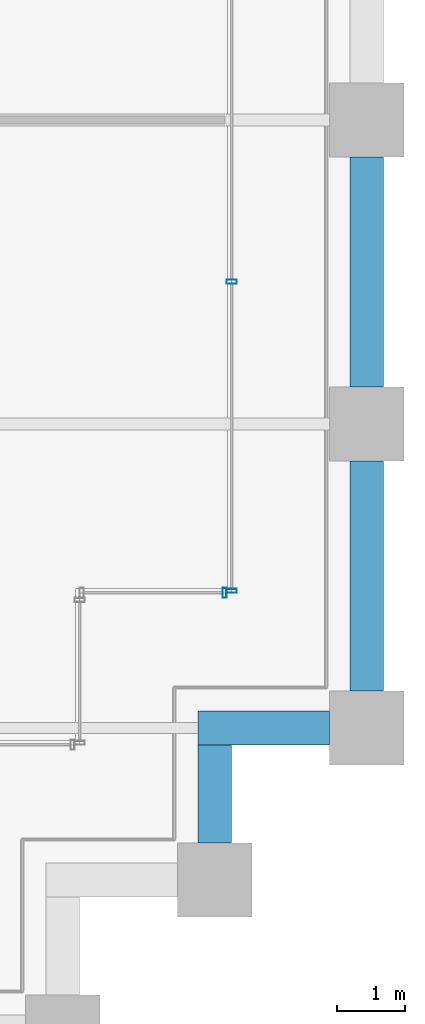
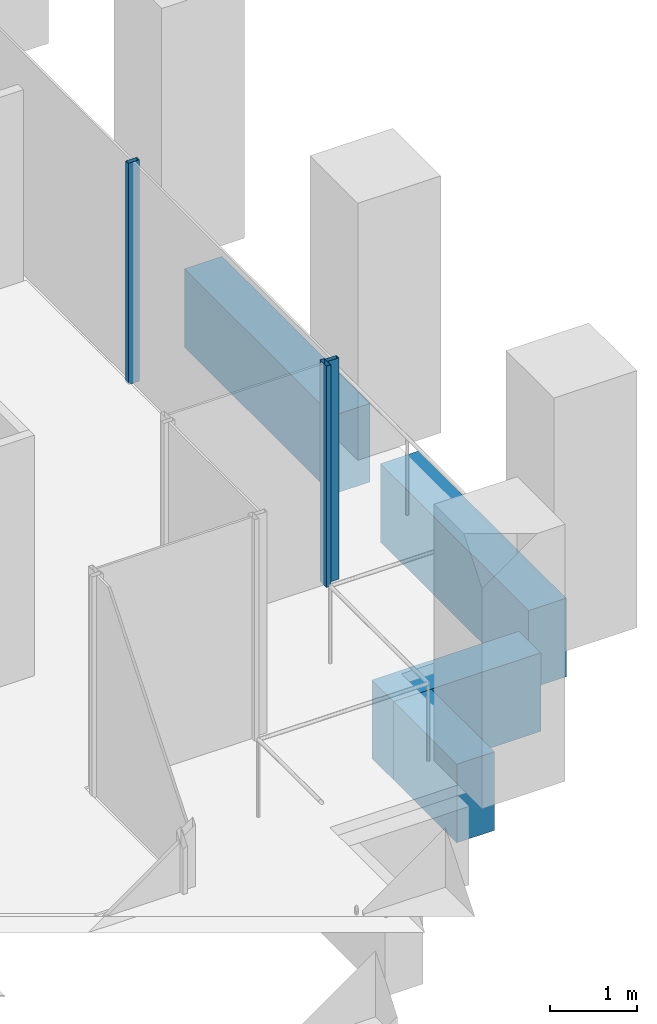
# One storey, part 46 of 56: 4 beams, 3 members, 2 elements without a shape of their own.
"""IFC4 building model written with IfcOpenShell, lengths in metres."""

from ifc_helpers import new_model, si_unit, direction, frame, origin, origin_2d, place, context, subcontext, project, spatial, rectangle, hollow_rectangle, extrude, material, material_profile, profile_set, type_object, element, aggregate, save


model = new_model("IFC4")

# Units and contexts
model_context = context("Model", 3, precision=1e-05, world=origin(), true_north=direction((0.0, 1.0)))
body_context = subcontext(model_context, "Body", "Model", "MODEL_VIEW")
ifc_project = project(units=[si_unit("LENGTHUNIT", "METRE"), si_unit("AREAUNIT", "SQUARE_METRE"), si_unit("VOLUMEUNIT", "CUBIC_METRE"), si_unit("PLANEANGLEUNIT", "RADIAN"), si_unit("MASSUNIT", "GRAM", prefix="KILO")], contexts=[model_context])

# Site, building, storey
site_placement = place(None, origin())
site = spatial("IfcSite", under=ifc_project, at=site_placement, CompositionType="ELEMENT")
building_placement = place(site_placement, origin())
building = spatial("IfcBuilding", under=site, at=building_placement, Name="Altepetl Exchange Towers", CompositionType="ELEMENT")
storey_placement = place(building_placement, frame((0.0, 0.0, 83.39990234375)))
storey = spatial("IfcBuildingStorey", under=building, at=storey_placement, Name="L20", CompositionType="ELEMENT", Elevation=83.39990234375)

# Curtain wall, member
ifc_material_1 = material(Name="Aluminium 6063-T6 glazing", Category="aluminium")
curtain_wall_type = type_object("IfcCurtainWallType", Name="Loggia glazing system", PredefinedType="NOTDEFINED", material=ifc_material_1)
curtain_wall_1_placement = place(storey_placement, origin())
curtain_wall_1 = element("IfcCurtainWall", 1, at=curtain_wall_1_placement, inside=storey, type_object=curtain_wall_type, Name="CW1 run", PredefinedType="NOTDEFINED")
ifc_material_2 = material(Name="Aluminium 6063-T6", Category="aluminium")
ifc_material_profile_1 = material_profile(ifc_material_2, hollow_rectangle(XDim=0.06005859375, YDim=0.14990234375, WallThickness=0.0029296875, at=origin_2d()), Name="Mullion 60x150 aluminium")
ifc_profile_set_1 = profile_set([ifc_material_profile_1], Name="Aluminium 6063-T6")
member_type = type_object("IfcMemberType", Name="Mullion 60x150 aluminium", PredefinedType="MULLION", material=ifc_profile_set_1)
member_1_placement = place(storey_placement, frame((123.89501953125, 33.5, 0.0)))
member_1 = element("IfcMember", 2, at=member_1_placement, type_object=member_type, Name="MU1 mullion", PredefinedType="MULLION", context=body_context, shape_type="SweptSolid", body=[
    extrude(hollow_rectangle(XDim=0.06005859375, YDim=0.14990234375, WallThickness=0.0029296875, at=origin_2d()), origin(), (0.0, 0.0, 1.0), 3.10009765625),
])
aggregate(curtain_wall_1, [member_1])

# Curtain wall, members
curtain_wall_2_placement = place(storey_placement, origin())
curtain_wall_2 = element("IfcCurtainWall", 3, at=curtain_wall_2_placement, inside=storey, type_object=curtain_wall_type, Name="CW1 run", PredefinedType="NOTDEFINED")
member_2_placement = place(storey_placement, frame((124.0, 33.530029296875, 0.0), z_axis=(0.0, 0.0, 1.0), x_axis=(0.0, 1.0, 0.0)))
member_2 = element("IfcMember", 4, at=member_2_placement, type_object=member_type, Name="MU1 mullion", PredefinedType="MULLION", context=body_context, shape_type="SweptSolid", body=[
    extrude(hollow_rectangle(XDim=0.06005859375, YDim=0.14990234375, WallThickness=0.0029296875, at=origin_2d()), origin(), (0.0, 0.0, 1.0), 3.10009765625),
])
member_3_placement = place(storey_placement, frame((124.0, 38.106201171875, 0.0), z_axis=(0.0, 0.0, 1.0), x_axis=(0.0, 1.0, 0.0)))
member_3 = element("IfcMember", 5, at=member_3_placement, type_object=member_type, Name="MU1 mullion", PredefinedType="MULLION", context=body_context, shape_type="SweptSolid", body=[
    extrude(hollow_rectangle(XDim=0.06005859375, YDim=0.14990234375, WallThickness=0.0029296875, at=origin_2d()), origin(), (0.0, 0.0, 1.0), 3.10009765625),
])
aggregate(curtain_wall_2, [member_2, member_3])

# Beams
ifc_material_3 = material(Name="Concrete C50/60 precast with cantera blanca facing", Category="concrete")
ifc_material_profile_2 = material_profile(ifc_material_3, rectangle(XDim=0.5, YDim=1.10009765625, at=origin_2d()), Name="500 x 1100")
ifc_profile_set_2 = profile_set([ifc_material_profile_2], Name="Concrete C50/60 precast with cantera blanca facing")
beam_type = type_object("IfcBeamType", Name="Spandrel beam 500x1100 cantera blanca", PredefinedType="SPANDREL", material=ifc_profile_set_2)
beam_1_placement = place(storey_placement, frame((123.75, 29.800048828125, -0.699951171875), z_axis=(0.0, 1.0, 0.0), x_axis=(-1.0, 0.0, 0.0)))
element("IfcBeam", 6, at=beam_1_placement, inside=storey, type_object=beam_type, Name="sp:B:L20:007", PredefinedType="SPANDREL", context=body_context, shape_type="SweptSolid", body=[
    extrude(rectangle(XDim=0.5, YDim=1.10009765625, at=origin_2d()), origin(), (0.0, 0.0, 1.0), 1.449951171875),
])
beam_2_placement = place(storey_placement, frame((123.5, 31.5, -0.699951171875), z_axis=(1.0, 0.0, 0.0), x_axis=(0.0, 1.0, 0.0)))
element("IfcBeam", 7, at=beam_2_placement, inside=storey, type_object=beam_type, Name="sp:B:L20:008", PredefinedType="SPANDREL", context=body_context, shape_type="SweptSolid", body=[
    extrude(rectangle(XDim=0.5, YDim=1.10009765625, at=origin_2d()), origin(), (0.0, 0.0, 1.0), 1.949951171875),
])
for number, where, z_axis, x_axis, name in (
    (8, (126.0, 32.050048828125, -0.699951171875), (0.0, 1.0, 0.0), (-1.0, 0.0, 0.0), "sp:B:L20:009"),
    (9, (126.0, 36.550048828125, -0.699951171875), (0.0, 1.0, 0.0), (-1.0, 0.0, 0.0), "sp:B:L20:010"),
):
    element("IfcBeam", number, at=place(storey_placement, frame(where, z_axis=z_axis, x_axis=x_axis)), inside=storey, type_object=beam_type, Name=name, PredefinedType="SPANDREL", context=body_context, shape_type="SweptSolid", body=[
        extrude(rectangle(XDim=0.5, YDim=1.10009765625, at=origin_2d()), origin(), (0.0, 0.0, 1.0), 3.39990234375),
    ])

save(model, "model.ifc")
